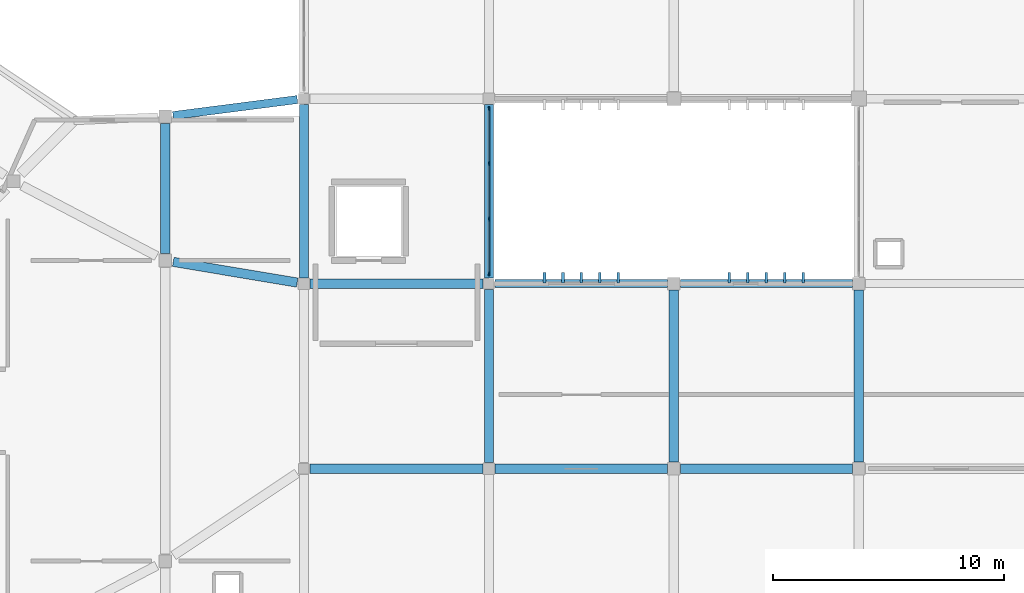
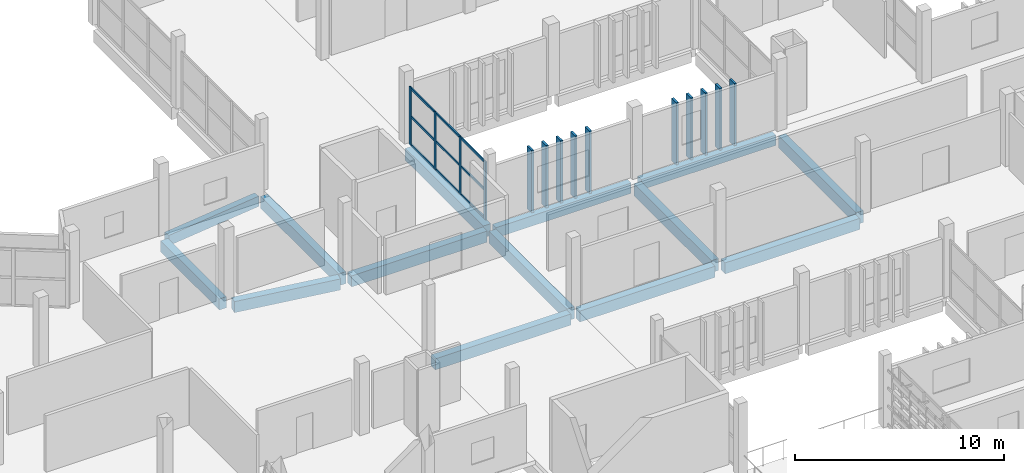
# One storey, part 13 of 63: 23 members, 14 beams, 1 element without a shape of its own.
"""IFC4 building model written with IfcOpenShell, lengths in metres."""

from ifc_helpers import new_model, si_unit, direction, frame, origin, origin_2d, place, context, subcontext, project, spatial, rectangle, extrude, material, layer, layer_set, material_profile, profile_set, type_object, element, aggregate, save


model = new_model("IFC4")

# Units and contexts
model_context = context("Model", 3, precision=1e-05, world=origin(), true_north=direction((0.0, 1.0)))
body_context = subcontext(model_context, "Body", "Model", "MODEL_VIEW")
ifc_project = project(units=[si_unit("LENGTHUNIT", "METRE"), si_unit("AREAUNIT", "SQUARE_METRE"), si_unit("VOLUMEUNIT", "CUBIC_METRE"), si_unit("PLANEANGLEUNIT", "RADIAN"), si_unit("MASSUNIT", "GRAM", prefix="KILO")], contexts=[model_context])

# Site, building, storey
site_placement = place(None, origin())
site = spatial("IfcSite", under=ifc_project, at=site_placement, CompositionType="ELEMENT")
building_placement = place(site_placement, origin())
building = spatial("IfcBuilding", under=site, at=building_placement, Name="Jelvoka-Kovrelna Polytechnic", CompositionType="ELEMENT")
storey_placement = place(building_placement, frame((0.0, 0.0, 18.0)))
storey = spatial("IfcBuildingStorey", under=building, at=storey_placement, Name="L05", CompositionType="ELEMENT", Elevation=18.0)

# Beams
ifc_material_1 = material(Name="Concrete C40/50", Category="concrete")
ifc_material_profile_1 = material_profile(ifc_material_1, rectangle(XDim=0.39990234375, YDim=0.64990234375, at=origin_2d()), Name="RC 400x650")
ifc_profile_set_1 = profile_set([ifc_material_profile_1], Name="Concrete C40/50")
beam_type_1 = type_object("IfcBeamType", Name="Beam_RC_400x650", PredefinedType="BEAM", material=ifc_profile_set_1)
beam_1_placement = place(storey_placement, frame((56.2548828125, 40.0, -0.574951171875), z_axis=(1.0, 0.0, 0.0), x_axis=(0.0, 1.0, 0.0)))
element("IfcBeam", 1, at=beam_1_placement, inside=storey, type_object=beam_type_1, Name="L05 beam 1430", PredefinedType="BEAM", context=body_context, shape_type="SweptSolid", body=[
    extrude(rectangle(XDim=0.39990234375, YDim=0.64990234375, at=origin_2d()), origin(), (0.0, 0.0, 1.0), 7.465087890625),
])
beam_2_placement = place(storey_placement, frame((64.280029296875, 40.0, -0.574951171875), z_axis=(1.0, 0.0, 0.0), x_axis=(0.0, 1.0, 0.0)))
element("IfcBeam", 2, at=beam_2_placement, inside=storey, type_object=beam_type_1, Name="L05 beam 1431", PredefinedType="BEAM", context=body_context, shape_type="SweptSolid", body=[
    extrude(rectangle(XDim=0.39990234375, YDim=0.64990234375, at=origin_2d()), origin(), (0.0, 0.0, 1.0), 7.43994140625),
])
for number, where, z_axis, x_axis, name in (
    (3, (48.2548828125, 40.0, -0.574951171875), (1.0, 0.0, 0.0), (0.0, 1.0, 0.0), "L05 beam 1592"),
    (4, (48.2548828125, 48.0, -0.574951171875), (1.0, 0.0, 0.0), (0.0, 1.0, 0.0), "L05 beam 1593"),
):
    element("IfcBeam", number, at=place(storey_placement, frame(where, z_axis=z_axis, x_axis=x_axis)), inside=storey, type_object=beam_type_1, Name=name, PredefinedType="BEAM", context=body_context, shape_type="SweptSolid", body=[
        extrude(rectangle(XDim=0.39990234375, YDim=0.64990234375, at=origin_2d()), origin(), (0.0, 0.0, 1.0), 7.490234375),
    ])
beam_3_placement = place(storey_placement, frame((42.34912109375, 48.94189453125, -0.574951171875), z_axis=(0.986386634974, -0.164442714478, 0.0), x_axis=(0.164442714478, 0.986386634974, 0.0)))
element("IfcBeam", 5, at=beam_3_placement, inside=storey, type_object=beam_type_1, Name="L05 beam 2662", PredefinedType="BEAM", context=body_context, shape_type="SweptSolid", body=[
    extrude(rectangle(XDim=0.39990234375, YDim=0.64990234375, at=origin_2d()), origin(), (0.0, 0.0, 1.0), 5.432373046875),
])
beam_4_placement = place(storey_placement, frame((42.0, 49.304931640625, -0.574951171875), z_axis=(0.0, 1.0, 0.0), x_axis=(-1.0, 0.0, 0.0)))
element("IfcBeam", 6, at=beam_4_placement, inside=storey, type_object=beam_type_1, Name="L05 beam 2667", PredefinedType="BEAM", context=body_context, shape_type="SweptSolid", body=[
    extrude(rectangle(XDim=0.39990234375, YDim=0.64990234375, at=origin_2d()), origin(), (0.0, 0.0, 1.0), 5.617919921875),
])
ifc_material_2 = material(Name="Concrete C40/50", Category="concrete")
ifc_material_profile_2 = material_profile(ifc_material_2, rectangle(XDim=0.39990234375, YDim=0.699951171875, at=origin_2d()), Name="RC 400x700")
ifc_profile_set_2 = profile_set([ifc_material_profile_2], Name="Concrete C40/50")
beam_type_2 = type_object("IfcBeamType", Name="Beam_RC_400x700", PredefinedType="BEAM", material=ifc_profile_set_2)
beam_5_placement = place(storey_placement, frame((56.0, 40.2548828125, -0.60009765625), z_axis=(0.0, 1.0, 0.0), x_axis=(-1.0, 0.0, 0.0)))
element("IfcBeam", 7, at=beam_5_placement, inside=storey, type_object=beam_type_2, Name="L05 beam 1444", PredefinedType="BEAM", context=body_context, shape_type="SweptSolid", body=[
    extrude(rectangle(XDim=0.39990234375, YDim=0.699951171875, at=origin_2d()), origin(), (0.0, 0.0, 1.0), 7.490234375),
])
for number, where, z_axis, x_axis, name in (
    (8, (64.0, 40.280029296875, -0.60009765625), (0.0, 1.0, 0.0), (-1.0, 0.0, 0.0), "L05 beam 1446"),
    (9, (72.0, 40.280029296875, -0.60009765625), (0.0, 1.0, 0.0), (-1.0, 0.0, 0.0), "L05 beam 1448"),
):
    element("IfcBeam", number, at=place(storey_placement, frame(where, z_axis=z_axis, x_axis=x_axis)), inside=storey, type_object=beam_type_2, Name=name, PredefinedType="BEAM", context=body_context, shape_type="SweptSolid", body=[
        extrude(rectangle(XDim=0.39990234375, YDim=0.699951171875, at=origin_2d()), origin(), (0.0, 0.0, 1.0), 7.43994140625),
    ])
for number, where, z_axis, x_axis, name in (
    (10, (48.0, 48.2548828125, -0.60009765625), (0.0, 1.0, 0.0), (-1.0, 0.0, 0.0), "L05 beam 1600"),
    (11, (56.0, 48.2548828125, -0.60009765625), (0.0, 1.0, 0.0), (-1.0, 0.0, 0.0), "L05 beam 1605"),
):
    element("IfcBeam", number, at=place(storey_placement, frame(where, z_axis=z_axis, x_axis=x_axis)), inside=storey, type_object=beam_type_2, Name=name, PredefinedType="BEAM", context=body_context, shape_type="SweptSolid", body=[
        extrude(rectangle(XDim=0.39990234375, YDim=0.699951171875, at=origin_2d()), origin(), (0.0, 0.0, 1.0), 7.490234375),
    ])

# Members
ifc_material_3 = material(Name="Precast concrete C40/50", Category="concrete")
ifc_material_profile_3 = material_profile(ifc_material_3, rectangle(XDim=0.1201171875, YDim=0.449951171875, at=origin_2d()), Name="PC 120x450")
ifc_profile_set_3 = profile_set([ifc_material_profile_3], Name="Precast concrete C40/50")
member_type_1 = type_object("IfcMemberType", Name="Louvre_Fin_120x450", PredefinedType="USERDEFINED", material=ifc_profile_set_3)
for number, where, z_axis, x_axis, name in (
    (12, (58.39990234375, 48.264892578125, -0.27001953125), (0.0, 0.0, 1.0), (1.0, 0.0, 0.0), "L05 B2W north vertical solar louvre fin 0756"),
    (13, (59.199951171875, 48.264892578125, -0.27001953125), (0.0, 0.0, 1.0), (1.0, 0.0, 0.0), "L05 B2W north vertical solar louvre fin 0757"),
    (14, (60.0, 48.264892578125, -0.27001953125), (0.0, 0.0, 1.0), (1.0, 0.0, 0.0), "L05 B2W north vertical solar louvre fin 0758"),
    (15, (60.800048828125, 48.264892578125, -0.27001953125), (0.0, 0.0, 1.0), (1.0, 0.0, 0.0), "L05 B2W north vertical solar louvre fin 0759"),
    (16, (61.60009765625, 48.264892578125, -0.27001953125), (0.0, 0.0, 1.0), (1.0, 0.0, 0.0), "L05 B2W north vertical solar louvre fin 0760"),
):
    element("IfcMember", number, at=place(storey_placement, frame(where, z_axis=z_axis, x_axis=x_axis)), inside=storey, type_object=member_type_1, Name=name, ObjectType="SUNSHADE", PredefinedType="USERDEFINED", context=body_context, shape_type="SweptSolid", body=[
        extrude(rectangle(XDim=0.1201171875, YDim=0.449951171875, at=origin_2d()), origin(), (0.0, 0.0, 1.0), 3.669921875),
    ])
for number, where, z_axis, x_axis, name in (
    (17, (66.39990234375, 48.264892578125, -0.27001953125), (0.0, 0.0, 1.0), (1.0, 0.0, 0.0), "L05 B2W north vertical solar louvre fin 0766"),
    (18, (67.199951171875, 48.264892578125, -0.27001953125), (0.0, 0.0, 1.0), (1.0, 0.0, 0.0), "L05 B2W north vertical solar louvre fin 0767"),
    (19, (68.0, 48.264892578125, -0.27001953125), (0.0, 0.0, 1.0), (1.0, 0.0, 0.0), "L05 B2W north vertical solar louvre fin 0768"),
    (20, (68.800048828125, 48.264892578125, -0.27001953125), (0.0, 0.0, 1.0), (1.0, 0.0, 0.0), "L05 B2W north vertical solar louvre fin 0769"),
    (21, (69.60009765625, 48.264892578125, -0.27001953125), (0.0, 0.0, 1.0), (1.0, 0.0, 0.0), "L05 B2W north vertical solar louvre fin 0770"),
):
    element("IfcMember", number, at=place(storey_placement, frame(where, z_axis=z_axis, x_axis=x_axis)), inside=storey, type_object=member_type_1, Name=name, ObjectType="SUNSHADE", PredefinedType="USERDEFINED", context=body_context, shape_type="SweptSolid", body=[
        extrude(rectangle(XDim=0.1201171875, YDim=0.449951171875, at=origin_2d()), origin(), (0.0, 0.0, 1.0), 3.655029296875),
    ])

# Curtain wall, members
ifc_material_4 = material(Name="Anodised aluminium 6063-T6", Category="aluminium")
ifc_layer = layer(ifc_material_4, 0.179931640625)
ifc_layer_set = layer_set([ifc_layer], Name="Anodised aluminium 6063-T6")
curtain_wall_type = type_object("IfcCurtainWallType", Name="CW_Pavilion", PredefinedType="NOTDEFINED", material=ifc_layer_set)
curtain_wall_placement = place(storey_placement, origin())
curtain_wall = element("IfcCurtainWall", 22, at=curtain_wall_placement, inside=storey, type_object=curtain_wall_type, Name="L05 glazed curtain wall 153", PredefinedType="NOTDEFINED")
ifc_material_5 = material(Name="Anodised aluminium 6063-T6", Category="aluminium")
ifc_material_profile_4 = material_profile(ifc_material_5, rectangle(XDim=0.06494140625, YDim=0.179931640625, at=origin_2d()), Name="ALU 65x180")
ifc_profile_set_4 = profile_set([ifc_material_profile_4], Name="Anodised aluminium 6063-T6")
member_type_2 = type_object("IfcMemberType", Name="Mullion_M-05", PredefinedType="MULLION", material=ifc_profile_set_4)
member_1_placement = place(storey_placement, frame((56.0, 55.5673828125, -0.02490234375), z_axis=(0.0, 0.0, 1.0), x_axis=(1.0, 0.0, 0.0)))
member_1 = element("IfcMember", 23, at=member_1_placement, type_object=member_type_2, Name="CW-05 mullion 1", PredefinedType="MULLION", context=body_context, shape_type="SweptSolid", body=[
    extrude(rectangle(XDim=0.06494140625, YDim=0.179931640625, at=origin_2d()), origin(), (0.0, 0.0, 1.0), 3.400146484375),
])
member_2_placement = place(storey_placement, frame((56.0, 53.199951171875, -0.02490234375), z_axis=(0.0, 0.0, 1.0), x_axis=(1.0, 0.0, 0.0)))
member_2 = element("IfcMember", 24, at=member_2_placement, type_object=member_type_2, Name="CW-05 mullion 2", PredefinedType="MULLION", context=body_context, shape_type="SweptSolid", body=[
    extrude(rectangle(XDim=0.06494140625, YDim=0.179931640625, at=origin_2d()), origin(), (0.0, 0.0, 1.0), 3.400146484375),
])
member_3_placement = place(storey_placement, frame((56.0, 50.800048828125, -0.02490234375), z_axis=(0.0, 0.0, 1.0), x_axis=(1.0, 0.0, 0.0)))
member_3 = element("IfcMember", 25, at=member_3_placement, type_object=member_type_2, Name="CW-05 mullion 3", PredefinedType="MULLION", context=body_context, shape_type="SweptSolid", body=[
    extrude(rectangle(XDim=0.06494140625, YDim=0.179931640625, at=origin_2d()), origin(), (0.0, 0.0, 1.0), 3.400146484375),
])
member_4_placement = place(storey_placement, frame((56.0, 48.4326171875, -0.02490234375), z_axis=(0.0, 0.0, 1.0), x_axis=(1.0, 0.0, 0.0)))
member_4 = element("IfcMember", 26, at=member_4_placement, type_object=member_type_2, Name="CW-05 mullion 4", PredefinedType="MULLION", context=body_context, shape_type="SweptSolid", body=[
    extrude(rectangle(XDim=0.06494140625, YDim=0.179931640625, at=origin_2d()), origin(), (0.0, 0.0, 1.0), 3.400146484375),
])

# Beams
ifc_material_6 = material(Name="Concrete C40/50", Category="concrete")
ifc_material_profile_5 = material_profile(ifc_material_6, rectangle(XDim=0.35009765625, YDim=0.60009765625, at=origin_2d()), Name="RC 350x600")
ifc_profile_set_5 = profile_set([ifc_material_profile_5], Name="Concrete C40/50")
beam_type_3 = type_object("IfcBeamType", Name="Spandrel_RC_350x600", PredefinedType="SPANDREL", material=ifc_profile_set_5)
beam_6_placement = place(storey_placement, frame((56.2548828125, 48.0, -0.550048828125), z_axis=(1.0, 0.0, 0.0), x_axis=(0.0, 1.0, 0.0)))
element("IfcBeam", 27, at=beam_6_placement, inside=storey, type_object=beam_type_3, Name="L05 beam 1436", PredefinedType="SPANDREL", context=body_context, shape_type="SweptSolid", body=[
    extrude(rectangle(XDim=0.35009765625, YDim=0.60009765625, at=origin_2d()), origin(), (0.0, 0.0, 1.0), 7.465087890625),
])
beam_7_placement = place(storey_placement, frame((64.280029296875, 48.0, -0.550048828125), z_axis=(1.0, 0.0, 0.0), x_axis=(0.0, 1.0, 0.0)))
element("IfcBeam", 28, at=beam_7_placement, inside=storey, type_object=beam_type_3, Name="L05 beam 1437", PredefinedType="SPANDREL", context=body_context, shape_type="SweptSolid", body=[
    extrude(rectangle(XDim=0.35009765625, YDim=0.60009765625, at=origin_2d()), origin(), (0.0, 0.0, 1.0), 7.43994140625),
])
beam_8_placement = place(storey_placement, frame((42.341064453125, 55.271728515625, -0.550048828125), z_axis=(0.991817852844, 0.127661062113, 0.0), x_axis=(-0.127661062113, 0.991817852844, 0.0)))
element("IfcBeam", 29, at=beam_8_placement, inside=storey, type_object=beam_type_3, Name="L05 beam 2658", PredefinedType="SPANDREL", context=body_context, shape_type="SweptSolid", body=[
    extrude(rectangle(XDim=0.35009765625, YDim=0.60009765625, at=origin_2d()), origin(), (0.0, 0.0, 1.0), 5.41796875),
])

# Member
ifc_material_7 = material(Name="Anodised aluminium 6063-T6", Category="aluminium")
ifc_material_profile_6 = material_profile(ifc_material_7, rectangle(XDim=0.06494140625, YDim=0.135009765625, at=origin_2d()), Name="ALU 65x135")
ifc_profile_set_6 = profile_set([ifc_material_profile_6], Name="Anodised aluminium 6063-T6")
member_type_3 = type_object("IfcMemberType", Name="Transom_T-05", PredefinedType="USERDEFINED", material=ifc_profile_set_6)
member_5_placement = place(storey_placement, frame((56.0, 55.534912109375, 0.032470703125), z_axis=(0.0, -1.0, 0.0), x_axis=(1.0, 0.0, 0.0)))
member_5 = element("IfcMember", 30, at=member_5_placement, type_object=member_type_3, Name="CW-05 transom 1.1", ObjectType="TRANSOM", PredefinedType="USERDEFINED", context=body_context, shape_type="SweptSolid", body=[
    extrude(rectangle(XDim=0.06494140625, YDim=0.135009765625, at=origin_2d()), origin(), (0.0, 0.0, 1.0), 2.302490234375),
])

member_6_placement = place(storey_placement, frame((56.0, 55.534912109375, 1.675048828125), z_axis=(0.0, -1.0, 0.0), x_axis=(1.0, 0.0, 0.0)))
member_6 = element("IfcMember", 31, at=member_6_placement, type_object=member_type_3, Name="CW-05 transom 1.2", ObjectType="TRANSOM", PredefinedType="USERDEFINED", context=body_context, shape_type="SweptSolid", body=[
    extrude(rectangle(XDim=0.06494140625, YDim=0.135009765625, at=origin_2d()), origin(), (0.0, 0.0, 1.0), 2.302490234375),
])

member_7_placement = place(storey_placement, frame((56.0, 55.534912109375, 3.3173828125), z_axis=(0.0, -1.0, 0.0), x_axis=(1.0, 0.0, 0.0)))
member_7 = element("IfcMember", 32, at=member_7_placement, type_object=member_type_3, Name="CW-05 transom 1.3", ObjectType="TRANSOM", PredefinedType="USERDEFINED", context=body_context, shape_type="SweptSolid", body=[
    extrude(rectangle(XDim=0.06494140625, YDim=0.135009765625, at=origin_2d()), origin(), (0.0, 0.0, 1.0), 2.302490234375),
])

member_8_placement = place(storey_placement, frame((56.0, 53.16748046875, 0.032470703125), z_axis=(0.0, -1.0, 0.0), x_axis=(1.0, 0.0, 0.0)))
member_8 = element("IfcMember", 33, at=member_8_placement, type_object=member_type_3, Name="CW-05 transom 2.1", ObjectType="TRANSOM", PredefinedType="USERDEFINED", context=body_context, shape_type="SweptSolid", body=[
    extrude(rectangle(XDim=0.06494140625, YDim=0.135009765625, at=origin_2d()), origin(), (0.0, 0.0, 1.0), 2.3349609375),
])

member_9_placement = place(storey_placement, frame((56.0, 53.16748046875, 1.675048828125), z_axis=(0.0, -1.0, 0.0), x_axis=(1.0, 0.0, 0.0)))
member_9 = element("IfcMember", 34, at=member_9_placement, type_object=member_type_3, Name="CW-05 transom 2.2", ObjectType="TRANSOM", PredefinedType="USERDEFINED", context=body_context, shape_type="SweptSolid", body=[
    extrude(rectangle(XDim=0.06494140625, YDim=0.135009765625, at=origin_2d()), origin(), (0.0, 0.0, 1.0), 2.3349609375),
])

member_10_placement = place(storey_placement, frame((56.0, 53.16748046875, 3.3173828125), z_axis=(0.0, -1.0, 0.0), x_axis=(1.0, 0.0, 0.0)))
member_10 = element("IfcMember", 35, at=member_10_placement, type_object=member_type_3, Name="CW-05 transom 2.3", ObjectType="TRANSOM", PredefinedType="USERDEFINED", context=body_context, shape_type="SweptSolid", body=[
    extrude(rectangle(XDim=0.06494140625, YDim=0.135009765625, at=origin_2d()), origin(), (0.0, 0.0, 1.0), 2.3349609375),
])

member_11_placement = place(storey_placement, frame((56.0, 50.767578125, 0.032470703125), z_axis=(0.0, -1.0, 0.0), x_axis=(1.0, 0.0, 0.0)))
member_11 = element("IfcMember", 36, at=member_11_placement, type_object=member_type_3, Name="CW-05 transom 3.1", ObjectType="TRANSOM", PredefinedType="USERDEFINED", context=body_context, shape_type="SweptSolid", body=[
    extrude(rectangle(XDim=0.06494140625, YDim=0.135009765625, at=origin_2d()), origin(), (0.0, 0.0, 1.0), 2.302490234375),
])

member_12_placement = place(storey_placement, frame((56.0, 50.767578125, 1.675048828125), z_axis=(0.0, -1.0, 0.0), x_axis=(1.0, 0.0, 0.0)))
member_12 = element("IfcMember", 37, at=member_12_placement, type_object=member_type_3, Name="CW-05 transom 3.2", ObjectType="TRANSOM", PredefinedType="USERDEFINED", context=body_context, shape_type="SweptSolid", body=[
    extrude(rectangle(XDim=0.06494140625, YDim=0.135009765625, at=origin_2d()), origin(), (0.0, 0.0, 1.0), 2.302490234375),
])

member_13_placement = place(storey_placement, frame((56.0, 50.767578125, 3.3173828125), z_axis=(0.0, -1.0, 0.0), x_axis=(1.0, 0.0, 0.0)))
member_13 = element("IfcMember", 38, at=member_13_placement, type_object=member_type_3, Name="CW-05 transom 3.3", ObjectType="TRANSOM", PredefinedType="USERDEFINED", context=body_context, shape_type="SweptSolid", body=[
    extrude(rectangle(XDim=0.06494140625, YDim=0.135009765625, at=origin_2d()), origin(), (0.0, 0.0, 1.0), 2.302490234375),
])

aggregate(curtain_wall, [member_1, member_2, member_3, member_4, member_5, member_6, member_7, member_8, member_9, member_10, member_11, member_12, member_13])

save(model, "model.ifc")
